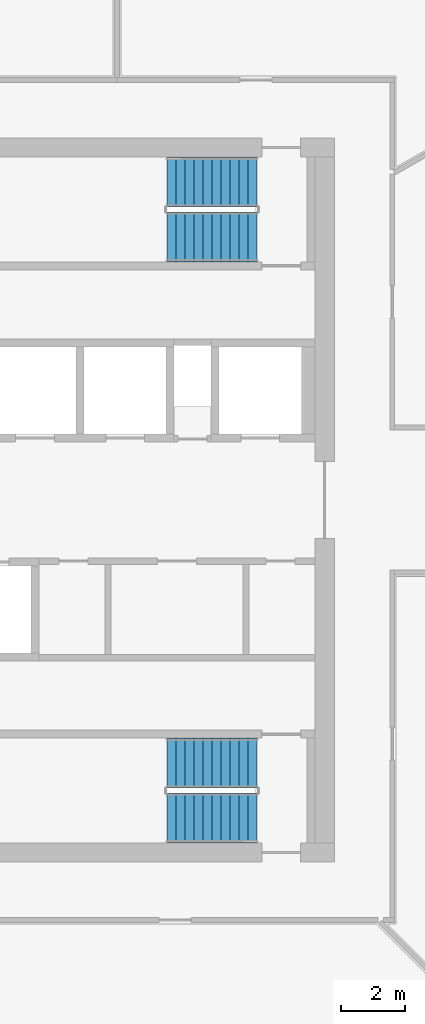
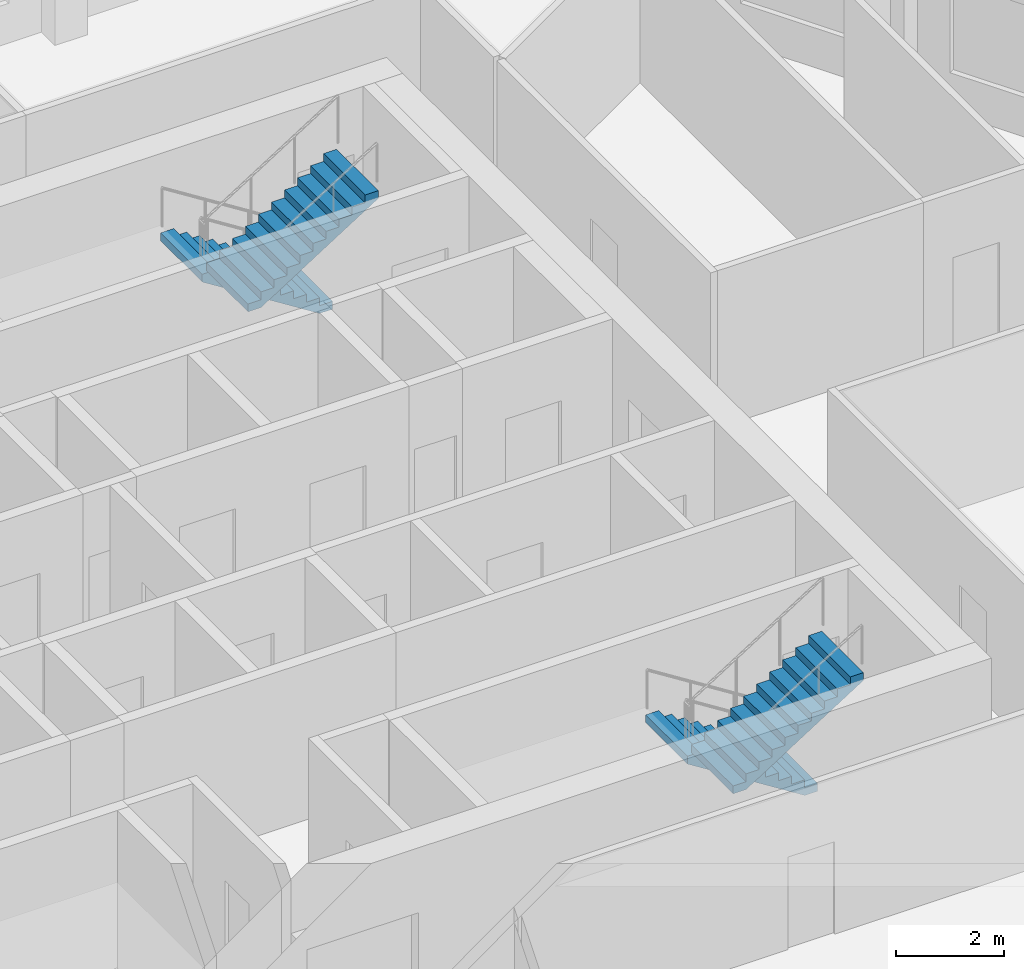
# One storey, part 7 of 11: 4 stair flights, 2 elements without a shape of their own.
"""IFC4 building model written with IfcOpenShell, lengths in metres."""

import ifcopenshell
import ifcopenshell.guid

model = None  # the IFC model being written
_history = None  # IfcOwnerHistory: only IFC2X3 demands one
_inside = {}  # id of a spatial element -> (the spatial element, [elements in it])
_under = {}  # id of a project, library or spatial element -> (it, [spatial elements below it])
_declared = {}  # id of a project -> (the project, [libraries it declares])
_typed = {}  # id of a type object -> (the type object, [elements of that type])
_made_of = {}  # id of a material, layer set ... -> (it, [elements and type objects made of it])


def new_model(schema):
    """Start an empty IFC model of exactly this schema.

    Asked for "IFC4X3", IfcOpenShell would pick the latest addendum, in which some entities
    have other attributes; the version numbers below select the first issue.
    IFC2X3 requires an IfcOwnerHistory on every rooted entity: one is made here for all.
    """
    global model, _history
    if schema == "IFC4X3":
        model = ifcopenshell.file(schema_version=(4, 3, 0, 0))
    else:
        model = ifcopenshell.file(schema=schema)
    _inside.clear()
    _under.clear()
    _declared.clear()
    _typed.clear()
    _made_of.clear()
    _history = None
    if model.schema == "IFC2X3":
        org = make("IfcOrganization", Name="unknown")
        user = make(
            "IfcPersonAndOrganization",
            ThePerson=make("IfcPerson", FamilyName="unknown"),
            TheOrganization=org,
        )
        app = make(
            "IfcApplication",
            ApplicationDeveloper=org,
            Version="unknown",
            ApplicationFullName="unknown",
            ApplicationIdentifier="unknown",
        )
        _history = make(
            "IfcOwnerHistory",
            OwningUser=user,
            OwningApplication=app,
            ChangeAction="ADDED",
            CreationDate=0,
        )
    return model


def make(cls, **values):
    """One entity of the class cls with the attributes given. An attribute that is None is left unset."""
    return model.create_entity(
        cls, **{name: value for name, value in values.items() if value is not None}
    )


def rooted(cls, **values):
    """An entity with a GlobalId (a new one), such as an element, a storey or a relation."""
    return make(cls, GlobalId=ifcopenshell.guid.new(), OwnerHistory=_history, **values)


def si_unit(unit_type, name, prefix=None):
    """IfcSIUnit, for example si_unit("LENGTHUNIT", "METRE", prefix="MILLI")."""
    return make("IfcSIUnit", UnitType=unit_type, Prefix=prefix, Name=name)


def assignment(units):
    """IfcUnitAssignment: the units of a project."""
    return None if units is None else make("IfcUnitAssignment", Units=units)


def point(xyz):
    """IfcCartesianPoint."""
    return None if xyz is None else make("IfcCartesianPoint", Coordinates=xyz)


def direction(xyz):
    """IfcDirection."""
    return None if xyz is None else make("IfcDirection", DirectionRatios=xyz)


def frame(location, z_axis=None, x_axis=None):
    """IfcAxis2Placement3D, a coordinate frame: its origin and axes. An axis left out is left unset."""
    return make(
        "IfcAxis2Placement3D",
        Location=point(location),
        Axis=direction(z_axis),
        RefDirection=direction(x_axis),
    )


def origin():
    """The frame at (0, 0, 0) with its axes left unset."""
    return frame((0.0, 0.0, 0.0))


def place(relative_to, where):
    """IfcLocalPlacement: puts the frame where relative to a parent placement (None: the world)."""
    return make(
        "IfcLocalPlacement", PlacementRelTo=relative_to, RelativePlacement=where
    )


def context(
    kind, dimensions, precision=None, world=None, true_north=None, identifier=None
):
    """IfcGeometricRepresentationContext, for example the 3D "Model" context."""
    return make(
        "IfcGeometricRepresentationContext",
        ContextIdentifier=identifier,
        ContextType=kind,
        CoordinateSpaceDimension=dimensions,
        Precision=precision,
        WorldCoordinateSystem=world,
        TrueNorth=true_north,
    )


def subcontext(parent, identifier, kind, view, scale=None):
    """IfcGeometricRepresentationSubContext, for example "Body" below "Model"."""
    return make(
        "IfcGeometricRepresentationSubContext",
        ContextIdentifier=identifier,
        ContextType=kind,
        ParentContext=parent,
        TargetScale=scale,
        TargetView=view,
    )


def project(units=None, contexts=None):
    """IfcProject with its units and contexts."""
    return rooted(
        "IfcProject",
        Name="project",
        RepresentationContexts=contexts,
        UnitsInContext=assignment(units),
    )


def spatial(cls, under=None, at=None, **own):
    """A site, building, storey or space (cls), placed at a placement, below another one or the project."""
    s = rooted(cls, ObjectPlacement=at, **own)
    if under is not None:
        _under.setdefault(under.id(), (under, []))[1].append(s)
    return s


def polyline(points):
    """IfcPolyline through the points."""
    return make("IfcPolyline", Points=[point(p) for p in points])


def outline(outer, holes=None, kind="AREA"):
    """IfcArbitraryClosedProfileDef: a profile drawn as a closed curve; with holes, ...WithVoids."""
    if holes is None:
        return make("IfcArbitraryClosedProfileDef", ProfileType=kind, OuterCurve=outer)
    return make(
        "IfcArbitraryProfileDefWithVoids",
        ProfileType=kind,
        OuterCurve=outer,
        InnerCurves=holes,
    )


def extrude(swept, where, along, depth):
    """IfcExtrudedAreaSolid: the profile swept, set in the frame where, extruded along a direction by depth."""
    return make(
        "IfcExtrudedAreaSolid",
        SweptArea=swept,
        Position=where,
        ExtrudedDirection=direction(along),
        Depth=depth,
    )


def shape(context_of_items, identifier, shape_type, items):
    """IfcShapeRepresentation: the items that make up one representation, for example the "Body"."""
    return make(
        "IfcShapeRepresentation",
        ContextOfItems=context_of_items,
        RepresentationIdentifier=identifier,
        RepresentationType=shape_type,
        Items=items,
    )


def material(Name=None, Category=None):
    """IfcMaterial."""
    return make("IfcMaterial", Name=Name, Category=Category)


def made_of(thing, what):
    """Note that an element or type object is made of a material, layer set ...; save() writes the relation."""
    if what is not None:
        _made_of.setdefault(what.id(), (what, []))[1].append(thing)
    return thing


def type_object(cls, material=None, **own):
    """A type object (cls), such as IfcWallType, which elements share."""
    return made_of(rooted(cls, **own), material)


def element(
    cls,
    number,
    at=None,
    inside=None,
    cuts=None,
    type_object=None,
    material=None,
    context=None,
    identifier="Body",
    shape_type=None,
    held_by="IfcProductDefinitionShape",
    body=None,
    shapes=None,
    **own,
):
    """One element of the class cls, such as IfcWall. Its Tag is "e" and its number.

    at: its placement. inside: the storey or other place that contains it. cuts: it is an
    opening in that element (IfcRelVoidsElement). A single representation is given by context,
    identifier, shape_type and body (its items); several are given by shapes. held_by: the class
    of the entity that holds the representations. save() writes the other relations.
    """
    e = rooted(cls, Tag="e%d" % number, ObjectPlacement=at, **own)
    if body is not None:
        shapes = [shape(context, identifier, shape_type, body)]
    if shapes is not None:
        e.Representation = make(held_by, Representations=shapes)
    if inside is not None:
        _inside.setdefault(inside.id(), (inside, []))[1].append(e)
    if cuts is not None:
        rooted(
            "IfcRelVoidsElement", RelatingBuildingElement=cuts, RelatedOpeningElement=e
        )
    if type_object is not None:
        _typed.setdefault(type_object.id(), (type_object, []))[1].append(e)
    return made_of(e, material)


def aggregate(whole, parts):
    """IfcRelAggregates: a whole, such as a stair, and the parts it consists of."""
    return rooted("IfcRelAggregates", RelatingObject=whole, RelatedObjects=parts)


def save(model, path):
    """Write the relations noted so far, then the file.

    IfcRelAggregates (storeys below a building ...), IfcRelContainedInSpatialStructure (elements
    in a storey), IfcRelDefinesByType, IfcRelAssociatesMaterial and IfcRelDeclares: one each for
    every whole, place, type object, material and project.
    """
    for whole, parts in _under.values():
        aggregate(whole, parts)
    for where, things in _inside.values():
        rooted(
            "IfcRelContainedInSpatialStructure",
            RelatedElements=things,
            RelatingStructure=where,
        )
    for kind, things in _typed.values():
        rooted("IfcRelDefinesByType", RelatedObjects=things, RelatingType=kind)
    for what, things in _made_of.values():
        rooted("IfcRelAssociatesMaterial", RelatedObjects=things, RelatingMaterial=what)
    for by, libraries in _declared.values():
        rooted("IfcRelDeclares", RelatingContext=by, RelatedDefinitions=libraries)
    model.write(path)


model = new_model("IFC4")

# Units and contexts
model_context = context("Model", 3, precision=1e-05, world=origin(), true_north=direction((0.0, 1.0)))
body_context = subcontext(model_context, "Body", "Model", "MODEL_VIEW")
ifc_project = project(units=[si_unit("LENGTHUNIT", "METRE"), si_unit("AREAUNIT", "SQUARE_METRE"), si_unit("VOLUMEUNIT", "CUBIC_METRE"), si_unit("PLANEANGLEUNIT", "RADIAN"), si_unit("MASSUNIT", "GRAM", prefix="KILO")], contexts=[model_context])

# Site, building, storey
site_placement = place(None, origin())
site = spatial("IfcSite", under=ifc_project, at=site_placement, CompositionType="ELEMENT")
building_placement = place(site_placement, origin())
building = spatial("IfcBuilding", under=site, at=building_placement, Name="Dhurran Vertical Campus", CompositionType="ELEMENT")
storey_placement = place(building_placement, frame((0.0, 0.0, 274.199951171875)))
storey = spatial("IfcBuildingStorey", under=building, at=storey_placement, Name="L68", CompositionType="ELEMENT", Elevation=274.199951171875)

# Stair, stair flights
ifc_material_1 = material(Name="Concrete C40/50", Category="concrete")
stair_type = type_object("IfcStairType", Name="co-ST-CORE", PredefinedType="HALF_TURN_STAIR", material=ifc_material_1)
stair_1_placement = place(storey_placement, origin())
stair_1 = element("IfcStair", 1, at=stair_1_placement, inside=storey, type_object=stair_type, Name="L68 Protected exit stair ST2", PredefinedType="HALF_TURN_STAIR")
ifc_material_2 = material(Name="Concrete C40/50", Category="concrete")
stair_flight_type = type_object("IfcStairFlightType", Name="co-SFL-RC", PredefinedType="STRAIGHT", material=ifc_material_2)
stair_flight_1_placement = place(storey_placement, frame((11.10009765625, 9.875, 0.0), z_axis=(0.0, 0.0, 1.0), x_axis=(-1.0, 0.0, 0.0)))
stair_flight_1 = element("IfcStairFlight", 2, at=stair_flight_1_placement, type_object=stair_flight_type, Name="ST2 flight 1", NumberOfRisers=11, NumberOfTreads=10, PredefinedType="STRAIGHT", RiserHeight=0.177272727, TreadLength=0.28, context=body_context, shape_type="SweptSolid", body=[
    extrude(outline(polyline([(0.0, 0.0), (0.0, 0.17724609375), (0.280029296875, 0.17724609375), (0.280029296875, 0.3544921875), (0.56005859375, 0.3544921875), (0.56005859375, 0.53173828125), (0.840087890625, 0.53173828125), (0.840087890625, 0.708984375), (1.1201171875, 0.708984375), (1.1201171875, 0.886474609375), (1.39990234375, 0.886474609375), (1.39990234375, 1.063720703125), (1.679931640625, 1.063720703125), (1.679931640625, 1.240966796875), (1.9599609375, 1.240966796875), (1.9599609375, 1.418212890625), (2.239990234375, 1.418212890625), (2.239990234375, 1.595458984375), (2.52001953125, 1.595458984375), (2.52001953125, 1.772705078125), (2.800048828125, 1.772705078125), (2.800048828125, 1.949951171875), (2.800048828125, 1.59521484375), (0.2802734375, 0.0), (0.0, 0.0)])), frame((0.0, 0.77490234375, 0.0), z_axis=(0.0, -1.0, 0.0), x_axis=(1.0, 0.0, 0.0)), (0.0, 0.0, 1.0), 1.550048828125),
])
stair_flight_2_placement = place(storey_placement, frame((8.300048828125, 8.175048828125, 1.949951171875), z_axis=(0.0, 0.0, 1.0), x_axis=(1.0, 0.0, 0.0)))
stair_flight_2 = element("IfcStairFlight", 3, at=stair_flight_2_placement, type_object=stair_flight_type, Name="ST2 flight 2", NumberOfRisers=11, NumberOfTreads=10, PredefinedType="STRAIGHT", RiserHeight=0.177272727, TreadLength=0.28, context=body_context, shape_type="SweptSolid", body=[
    extrude(outline(polyline([(0.0, 0.0), (0.0, 0.17724609375), (0.280029296875, 0.17724609375), (0.280029296875, 0.3544921875), (0.56005859375, 0.3544921875), (0.56005859375, 0.53173828125), (0.840087890625, 0.53173828125), (0.840087890625, 0.708984375), (1.1201171875, 0.708984375), (1.1201171875, 0.886474609375), (1.39990234375, 0.886474609375), (1.39990234375, 1.063720703125), (1.679931640625, 1.063720703125), (1.679931640625, 1.240966796875), (1.9599609375, 1.240966796875), (1.9599609375, 1.418212890625), (2.239990234375, 1.418212890625), (2.239990234375, 1.595458984375), (2.52001953125, 1.595458984375), (2.52001953125, 1.772705078125), (2.800048828125, 1.772705078125), (2.800048828125, 1.949951171875), (2.800048828125, 1.59521484375), (0.2802734375, 0.0), (0.0, 0.0)])), frame((0.0, 0.77490234375, 0.0), z_axis=(0.0, -1.0, 0.0), x_axis=(1.0, 0.0, 0.0)), (0.0, 0.0, 1.0), 1.550048828125),
])
aggregate(stair_1, [stair_flight_1, stair_flight_2])

stair_2_placement = place(storey_placement, origin())
stair_2 = element("IfcStair", 4, at=stair_2_placement, inside=storey, type_object=stair_type, Name="L68 Protected exit stair ST4", PredefinedType="HALF_TURN_STAIR")
stair_flight_3_placement = place(storey_placement, frame((11.10009765625, -8.175048828125, 0.0), z_axis=(0.0, 0.0, 1.0), x_axis=(-1.0, 0.0, 0.0)))
stair_flight_3 = element("IfcStairFlight", 5, at=stair_flight_3_placement, type_object=stair_flight_type, Name="ST4 flight 1", NumberOfRisers=11, NumberOfTreads=10, PredefinedType="STRAIGHT", RiserHeight=0.177272727, TreadLength=0.28, context=body_context, shape_type="SweptSolid", body=[
    extrude(outline(polyline([(0.0, 0.0), (0.0, 0.17724609375), (0.280029296875, 0.17724609375), (0.280029296875, 0.3544921875), (0.56005859375, 0.3544921875), (0.56005859375, 0.53173828125), (0.840087890625, 0.53173828125), (0.840087890625, 0.708984375), (1.1201171875, 0.708984375), (1.1201171875, 0.886474609375), (1.39990234375, 0.886474609375), (1.39990234375, 1.063720703125), (1.679931640625, 1.063720703125), (1.679931640625, 1.240966796875), (1.9599609375, 1.240966796875), (1.9599609375, 1.418212890625), (2.239990234375, 1.418212890625), (2.239990234375, 1.595458984375), (2.52001953125, 1.595458984375), (2.52001953125, 1.772705078125), (2.800048828125, 1.772705078125), (2.800048828125, 1.949951171875), (2.800048828125, 1.59521484375), (0.2802734375, 0.0), (0.0, 0.0)])), frame((0.0, 0.77490234375, 0.0), z_axis=(0.0, -1.0, 0.0), x_axis=(1.0, 0.0, 0.0)), (0.0, 0.0, 1.0), 1.550048828125),
])
stair_flight_4_placement = place(storey_placement, frame((8.300048828125, -9.875, 1.949951171875), z_axis=(0.0, 0.0, 1.0), x_axis=(1.0, 0.0, 0.0)))
stair_flight_4 = element("IfcStairFlight", 6, at=stair_flight_4_placement, type_object=stair_flight_type, Name="ST4 flight 2", NumberOfRisers=11, NumberOfTreads=10, PredefinedType="STRAIGHT", RiserHeight=0.177272727, TreadLength=0.28, context=body_context, shape_type="SweptSolid", body=[
    extrude(outline(polyline([(0.0, 0.0), (0.0, 0.17724609375), (0.280029296875, 0.17724609375), (0.280029296875, 0.3544921875), (0.56005859375, 0.3544921875), (0.56005859375, 0.53173828125), (0.840087890625, 0.53173828125), (0.840087890625, 0.708984375), (1.1201171875, 0.708984375), (1.1201171875, 0.886474609375), (1.39990234375, 0.886474609375), (1.39990234375, 1.063720703125), (1.679931640625, 1.063720703125), (1.679931640625, 1.240966796875), (1.9599609375, 1.240966796875), (1.9599609375, 1.418212890625), (2.239990234375, 1.418212890625), (2.239990234375, 1.595458984375), (2.52001953125, 1.595458984375), (2.52001953125, 1.772705078125), (2.800048828125, 1.772705078125), (2.800048828125, 1.949951171875), (2.800048828125, 1.59521484375), (0.2802734375, 0.0), (0.0, 0.0)])), frame((0.0, 0.77490234375, 0.0), z_axis=(0.0, -1.0, 0.0), x_axis=(1.0, 0.0, 0.0)), (0.0, 0.0, 1.0), 1.550048828125),
])
aggregate(stair_2, [stair_flight_3, stair_flight_4])

save(model, "model.ifc")
